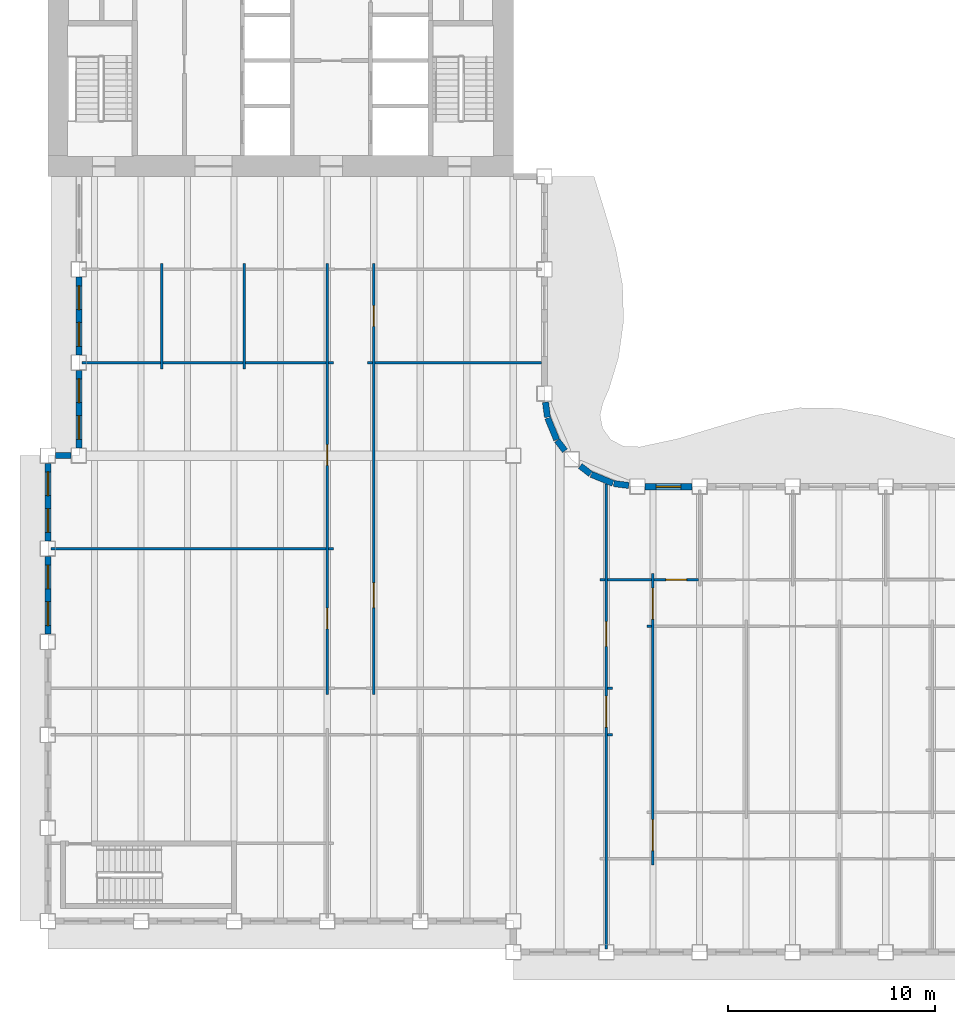
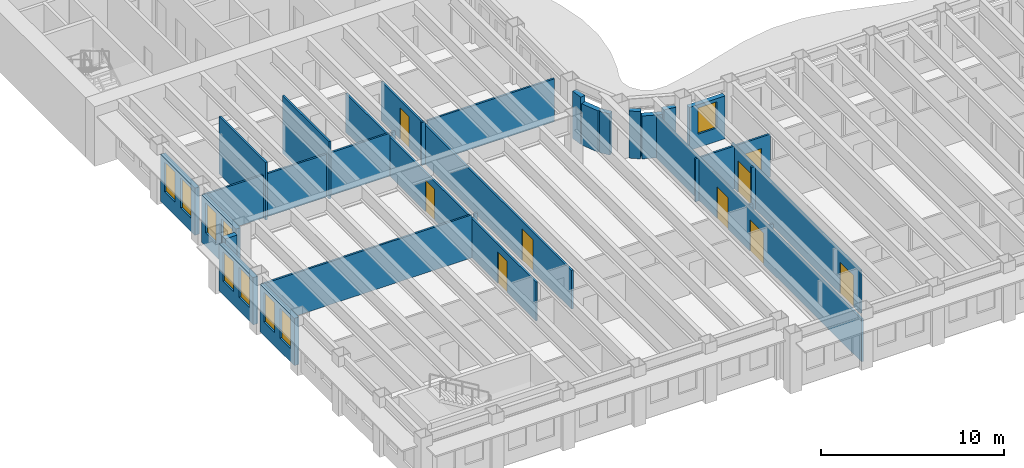
# One storey, part 4 of 16: 32 walls, 9 doors, 9 windows, 18 openings.
"""IFC4 building model written with IfcOpenShell, lengths in metres."""

from ifc_helpers import new_model, si_unit, direction, frame, frame_2d, origin, place, context, subcontext, project, spatial, rectangle, extrude, material, layer, layer_set, type_object, element, fill, save


model = new_model("IFC4")

# Units and contexts
model_context = context("Model", 3, precision=1e-05, world=origin(), true_north=direction((0.0, 1.0)))
body_context = subcontext(model_context, "Body", "Model", "MODEL_VIEW")
ifc_project = project(units=[si_unit("LENGTHUNIT", "METRE"), si_unit("AREAUNIT", "SQUARE_METRE"), si_unit("VOLUMEUNIT", "CUBIC_METRE"), si_unit("PLANEANGLEUNIT", "RADIAN"), si_unit("MASSUNIT", "GRAM", prefix="KILO")], contexts=[model_context])

# Site, building, storey
site_placement = place(None, origin())
site = spatial("IfcSite", under=ifc_project, at=site_placement, CompositionType="ELEMENT")
building_placement = place(site_placement, origin())
building = spatial("IfcBuilding", under=site, at=building_placement, Name="Sennacour Bend Tower", CompositionType="ELEMENT")
storey_placement = place(building_placement, frame((0.0, 0.0, 227.0)))
storey = spatial("IfcBuildingStorey", under=building, at=storey_placement, Name="L52", CompositionType="ELEMENT", Elevation=227.0)

# Walls
ifc_material_1 = material(Name="Plasterboard partition on steel studs", Category="steel")
ifc_layer_1 = layer(ifc_material_1, 0.1201171875, Name="Plasterboard partition on steel studs", Category="steel")
ifc_layer_set_1 = layer_set([ifc_layer_1], Name="Plasterboard partition on steel studs")
wall_type_1 = type_object("IfcWallType", Name="Partition 120", PredefinedType="PARTITIONING", material=ifc_layer_set_1)
for number, where, z_axis, x_axis, name in (
    (1, (5.5, 26.699951171875, 0.0), (0.0, 0.0, 1.0), (0.0, 1.0, 0.0), "P-L52-W007a"),
    (2, (9.5, 26.699951171875, 0.0), (0.0, 0.0, 1.0), (0.0, 1.0, 0.0), "P-L52-W012a"),
):
    element("IfcWall", number, at=place(storey_placement, frame(where, z_axis=z_axis, x_axis=x_axis)), inside=storey, type_object=wall_type_1, Name=name, PredefinedType="PARTITIONING", context=body_context, shape_type="SweptSolid", body=[
        extrude(rectangle(XDim=5.10009765625, YDim=0.1201171875, at=frame_2d((2.550048828125, 0.0))), origin(), (0.0, 0.0, 1.0), 3.85009765625),
    ])

# Wall, openings, doors
wall_1_placement = place(storey_placement, frame((13.5, 10.949951171875, 0.0), z_axis=(0.0, 0.0, 1.0), x_axis=(0.0, 1.0, 0.0)))
wall_1 = element("IfcWall", 3, at=wall_1_placement, inside=storey, type_object=wall_type_1, Name="P-L52-W016a", PredefinedType="PARTITIONING", context=body_context, shape_type="SweptSolid", body=[
    extrude(rectangle(XDim=20.85009765625, YDim=0.1201171875, at=frame_2d((10.425048828125, 0.0))), origin(), (0.0, 0.0, 1.0), 2.60009765625),
])
opening_1_placement = place(wall_1_placement, frame((3.175048828125, 0.0, 0.0)))
opening_1 = element("IfcOpeningElement", 4, at=opening_1_placement, cuts=wall_1, Name="Opening OD2", PredefinedType="OPENING", context=body_context, shape_type="SweptSolid", body=[
    extrude(rectangle(XDim=1.0, YDim=2.10009765625, at=frame_2d((0.5, 1.050048828125))), frame((0.0, 0.070068359375, 0.0), z_axis=(0.0, -1.0, 0.0), x_axis=(1.0, 0.0, 0.0)), (0.0, 0.0, 1.0), 0.14013671875),
])
opening_2_placement = place(wall_1_placement, frame((11.080078125, 0.0, 0.0)))
opening_2 = element("IfcOpeningElement", 5, at=opening_2_placement, cuts=wall_1, Name="Opening OD2", PredefinedType="OPENING", context=body_context, shape_type="SweptSolid", body=[
    extrude(rectangle(XDim=1.0, YDim=2.10009765625, at=frame_2d((0.5, 1.050048828125))), frame((0.0, 0.070068359375, 0.0), z_axis=(0.0, -1.0, 0.0), x_axis=(1.0, 0.0, 0.0)), (0.0, 0.0, 1.0), 0.14013671875),
])
ifc_material_2 = material(Name="Timber", Category="wood")
door_type_1 = type_object("IfcDoorType", Name="DR-OFFICE-1000", OperationType="NOTDEFINED", PredefinedType="DOOR", material=ifc_material_2)
door_1_placement = place(opening_1_placement, origin())
door_1 = element("IfcDoor", 6, at=door_1_placement, inside=storey, type_object=door_type_1, Name="Door", OperationType="SINGLE_SWING_LEFT", OverallHeight=2.10009765625, OverallWidth=1.0, PredefinedType="DOOR", context=body_context, shape_type="SweptSolid", body=[
    extrude(rectangle(XDim=1.0, YDim=2.10009765625, at=frame_2d((0.5, 1.050048828125))), frame((0.0, 0.02490234375, 0.0), z_axis=(0.0, -1.0, 0.0), x_axis=(1.0, 0.0, 0.0)), (0.0, 0.0, 1.0), 0.050048828125),
])
fill(opening_1, door_1)
door_2_placement = place(opening_2_placement, origin())
door_2 = element("IfcDoor", 7, at=door_2_placement, inside=storey, type_object=door_type_1, Name="Door", OperationType="SINGLE_SWING_RIGHT", OverallHeight=2.10009765625, OverallWidth=1.0, PredefinedType="DOOR", context=body_context, shape_type="SweptSolid", body=[
    extrude(rectangle(XDim=1.0, YDim=2.10009765625, at=frame_2d((0.5, 1.050048828125))), frame((0.0, 0.02490234375, 0.0), z_axis=(0.0, -1.0, 0.0), x_axis=(1.0, 0.0, 0.0)), (0.0, 0.0, 1.0), 0.050048828125),
])
fill(opening_2, door_2)

wall_2_placement = place(storey_placement, frame((15.75, 10.949951171875, 0.0), z_axis=(0.0, 0.0, 1.0), x_axis=(0.0, 1.0, 0.0)))
wall_2 = element("IfcWall", 8, at=wall_2_placement, inside=storey, type_object=wall_type_1, Name="P-L52-W019a", PredefinedType="PARTITIONING", context=body_context, shape_type="SweptSolid", body=[
    extrude(rectangle(XDim=20.85009765625, YDim=0.1201171875, at=frame_2d((10.425048828125, 0.0))), origin(), (0.0, 0.0, 1.0), 2.60009765625),
])
opening_3_placement = place(wall_2_placement, frame((17.800048828125, 0.0, 0.0)))
opening_3 = element("IfcOpeningElement", 9, at=opening_3_placement, cuts=wall_2, Name="Opening MD2", PredefinedType="OPENING", context=body_context, shape_type="SweptSolid", body=[
    extrude(rectangle(XDim=1.0, YDim=2.10009765625, at=frame_2d((0.5, 1.050048828125))), frame((0.0, 0.070068359375, 0.0), z_axis=(0.0, -1.0, 0.0), x_axis=(1.0, 0.0, 0.0)), (0.0, 0.0, 1.0), 0.14013671875),
])
opening_4_placement = place(wall_2_placement, frame((4.199951171875, 0.0, 0.0)))
opening_4 = element("IfcOpeningElement", 10, at=opening_4_placement, cuts=wall_2, Name="Opening OD", PredefinedType="OPENING", context=body_context, shape_type="SweptSolid", body=[
    extrude(rectangle(XDim=1.199951171875, YDim=2.10009765625, at=frame_2d((0.60009765625, 1.050048828125))), frame((0.0, 0.070068359375, 0.0), z_axis=(0.0, -1.0, 0.0), x_axis=(1.0, 0.0, 0.0)), (0.0, 0.0, 1.0), 0.14013671875),
])
door_type_2 = type_object("IfcDoorType", Name="DR-MEETING-1000", OperationType="NOTDEFINED", PredefinedType="DOOR", material=ifc_material_2)
door_3_placement = place(opening_3_placement, origin())
door_3 = element("IfcDoor", 11, at=door_3_placement, inside=storey, type_object=door_type_2, Name="Door", OperationType="SINGLE_SWING_RIGHT", OverallHeight=2.10009765625, OverallWidth=1.0, PredefinedType="DOOR", context=body_context, shape_type="SweptSolid", body=[
    extrude(rectangle(XDim=1.0, YDim=2.10009765625, at=frame_2d((0.5, 1.050048828125))), frame((0.0, 0.02490234375, 0.0), z_axis=(0.0, -1.0, 0.0), x_axis=(1.0, 0.0, 0.0)), (0.0, 0.0, 1.0), 0.050048828125),
])
fill(opening_3, door_3)
door_type_3 = type_object("IfcDoorType", Name="DR-OFFICE-1200", OperationType="NOTDEFINED", PredefinedType="DOOR", material=ifc_material_2)
door_4_placement = place(opening_4_placement, origin())
door_4 = element("IfcDoor", 12, at=door_4_placement, inside=storey, type_object=door_type_3, Name="Door", OperationType="SINGLE_SWING_LEFT", OverallHeight=2.10009765625, OverallWidth=1.199951171875, PredefinedType="DOOR", context=body_context, shape_type="SweptSolid", body=[
    extrude(rectangle(XDim=1.199951171875, YDim=2.10009765625, at=frame_2d((0.60009765625, 1.050048828125))), frame((0.0, 0.02490234375, 0.0), z_axis=(0.0, -1.0, 0.0), x_axis=(1.0, 0.0, 0.0)), (0.0, 0.0, 1.0), 0.050048828125),
])
fill(opening_4, door_4)

# Walls
for number, where, z_axis, x_axis, name in (
    (13, (27.06005859375, 9.0, 0.0), (0.0, 0.0, 1.0), (1.0, 0.0, 0.0), "P-L52-W062ad"),
    (14, (27.06005859375, 11.25, 0.0), (0.0, 0.0, 1.0), (1.0, 0.0, 0.0), "P-L52-W065ad"),
    (15, (28.949951171875, 14.25, 0.0), (0.0, 0.0, 1.0), (1.0, 0.0, 0.0), "P-L52-W069aa"),
    (16, (26.699951171875, 16.5, 0.0), (0.0, 0.0, 1.0), (1.0, 0.0, 0.0), "P-L52-W072aa"),
):
    element("IfcWall", number, at=place(storey_placement, frame(where, z_axis=z_axis, x_axis=x_axis)), inside=storey, type_object=wall_type_1, Name=name, PredefinedType="PARTITIONING", context=body_context, shape_type="SweptSolid", body=[
        extrude(rectangle(XDim=0.239990234375, YDim=0.1201171875, at=frame_2d((0.1201171875, 0.0))), origin(), (0.0, 0.0, 1.0), 2.8701171875),
    ])
wall_3_placement = place(storey_placement, frame((27.06005859375, 16.5, 0.0), z_axis=(0.0, 0.0, 1.0), x_axis=(1.0, 0.0, 0.0)))
element("IfcWall", 17, at=wall_3_placement, inside=storey, type_object=wall_type_1, Name="P-L52-W072ab", PredefinedType="PARTITIONING", context=body_context, shape_type="SweptSolid", body=[
    extrude(rectangle(XDim=2.1298828125, YDim=0.1201171875, at=frame_2d((1.06494140625, 0.0))), origin(), (0.0, 0.0, 1.0), 2.8701171875),
])

# Wall, opening, door
wall_4_placement = place(storey_placement, frame((29.31005859375, 16.5, 0.0), z_axis=(0.0, 0.0, 1.0), x_axis=(1.0, 0.0, 0.0)))
wall_4 = element("IfcWall", 18, at=wall_4_placement, inside=storey, type_object=wall_type_1, Name="P-L52-W072ac", PredefinedType="PARTITIONING", context=body_context, shape_type="SweptSolid", body=[
    extrude(rectangle(XDim=2.1298828125, YDim=0.1201171875, at=frame_2d((1.06494140625, 0.0))), origin(), (0.0, 0.0, 1.0), 2.8701171875),
])
opening_5_placement = place(wall_4_placement, frame((0.56494140625, 0.0, 0.0)))
opening_5 = element("IfcOpeningElement", 19, at=opening_5_placement, cuts=wall_4, Name="Opening OD2", PredefinedType="OPENING", context=body_context, shape_type="SweptSolid", body=[
    extrude(rectangle(XDim=1.0, YDim=2.10009765625, at=frame_2d((0.5, 1.050048828125))), frame((0.0, 0.070068359375, 0.0), z_axis=(0.0, -1.0, 0.0), x_axis=(1.0, 0.0, 0.0)), (0.0, 0.0, 1.0), 0.14013671875),
])
door_5_placement = place(opening_5_placement, origin())
door_5 = element("IfcDoor", 20, at=door_5_placement, inside=storey, type_object=door_type_1, Name="Door", OperationType="SINGLE_SWING_LEFT", OverallHeight=2.10009765625, OverallWidth=1.0, PredefinedType="DOOR", context=body_context, shape_type="SweptSolid", body=[
    extrude(rectangle(XDim=1.0, YDim=2.10009765625, at=frame_2d((0.5, 1.050048828125))), frame((0.0, 0.02490234375, 0.0), z_axis=(0.0, -1.0, 0.0), x_axis=(1.0, 0.0, 0.0)), (0.0, 0.0, 1.0), 0.050048828125),
])
fill(opening_5, door_5)

# Walls
wall_5_placement = place(storey_placement, frame((0.14990234375, 18.0, 0.0), z_axis=(0.0, 0.0, 1.0), x_axis=(1.0, 0.0, 0.0)))
element("IfcWall", 21, at=wall_5_placement, inside=storey, type_object=wall_type_1, Name="P-L52-W073aa", PredefinedType="PARTITIONING", context=body_context, shape_type="SweptSolid", body=[
    extrude(rectangle(XDim=13.2900390625, YDim=0.1201171875, at=frame_2d((6.64501953125, 0.0))), origin(), (0.0, 0.0, 1.0), 2.8701171875),
])
wall_6_placement = place(storey_placement, frame((13.56005859375, 18.0, 0.0), z_axis=(0.0, 0.0, 1.0), x_axis=(1.0, 0.0, 0.0)))
element("IfcWall", 22, at=wall_6_placement, inside=storey, type_object=wall_type_1, Name="P-L52-W073ab", PredefinedType="PARTITIONING", context=body_context, shape_type="SweptSolid", body=[
    extrude(rectangle(XDim=0.239990234375, YDim=0.1201171875, at=frame_2d((0.1201171875, 0.0))), origin(), (0.0, 0.0, 1.0), 2.8701171875),
])
wall_7_placement = place(storey_placement, frame((1.64990234375, 27.0, 0.0), z_axis=(0.0, 0.0, 1.0), x_axis=(1.0, 0.0, 0.0)))
element("IfcWall", 23, at=wall_7_placement, inside=storey, type_object=wall_type_1, Name="P-L52-W080aa", PredefinedType="PARTITIONING", context=body_context, shape_type="SweptSolid", body=[
    extrude(rectangle(XDim=3.7900390625, YDim=0.1201171875, at=frame_2d((1.89501953125, 0.0))), origin(), (0.0, 0.0, 1.0), 2.8701171875),
])
for number, where, z_axis, x_axis, name in (
    (24, (5.56005859375, 27.0, 0.0), (0.0, 0.0, 1.0), (1.0, 0.0, 0.0), "P-L52-W080ab"),
    (25, (9.56005859375, 27.0, 0.0), (0.0, 0.0, 1.0), (1.0, 0.0, 0.0), "P-L52-W080ac"),
):
    element("IfcWall", number, at=place(storey_placement, frame(where, z_axis=z_axis, x_axis=x_axis)), inside=storey, type_object=wall_type_1, Name=name, PredefinedType="PARTITIONING", context=body_context, shape_type="SweptSolid", body=[
        extrude(rectangle(XDim=3.8798828125, YDim=0.1201171875, at=frame_2d((1.93994140625, 0.0))), origin(), (0.0, 0.0, 1.0), 2.8701171875),
    ])
for number, where, z_axis, x_axis, name in (
    (26, (13.56005859375, 27.0, 0.0), (0.0, 0.0, 1.0), (1.0, 0.0, 0.0), "P-L52-W080ad"),
    (27, (15.449951171875, 27.0, 0.0), (0.0, 0.0, 1.0), (1.0, 0.0, 0.0), "P-L52-W081aa"),
):
    element("IfcWall", number, at=place(storey_placement, frame(where, z_axis=z_axis, x_axis=x_axis)), inside=storey, type_object=wall_type_1, Name=name, PredefinedType="PARTITIONING", context=body_context, shape_type="SweptSolid", body=[
        extrude(rectangle(XDim=0.239990234375, YDim=0.1201171875, at=frame_2d((0.1201171875, 0.0))), origin(), (0.0, 0.0, 1.0), 2.8701171875),
    ])
wall_8_placement = place(storey_placement, frame((15.81005859375, 27.0, 0.0), z_axis=(0.0, 0.0, 1.0), x_axis=(1.0, 0.0, 0.0)))
element("IfcWall", 28, at=wall_8_placement, inside=storey, type_object=wall_type_1, Name="P-L52-W081ab", PredefinedType="PARTITIONING", context=body_context, shape_type="SweptSolid", body=[
    extrude(rectangle(XDim=8.0400390625, YDim=0.1201171875, at=frame_2d((4.02001953125, 0.0))), origin(), (0.0, 0.0, 1.0), 2.8701171875),
])

# Wall, openings, doors
ifc_layer_2 = layer(ifc_material_1, 0.1201171875, Name="Plasterboard partition on steel studs", Category="steel")
ifc_layer_set_2 = layer_set([ifc_layer_2], Name="Plasterboard partition on steel studs")
wall_type_2 = type_object("IfcWallType", Name="Partition 120 EI 30", PredefinedType="PARTITIONING", material=ifc_layer_set_2)
wall_9_placement = place(storey_placement, frame((27.0, -1.35009765625, 0.0), z_axis=(0.0, 0.0, 1.0), x_axis=(0.0, 1.0, 0.0)))
wall_9 = element("IfcWall", 29, at=wall_9_placement, inside=storey, type_object=wall_type_2, Name="P-L52-W026a", PredefinedType="PARTITIONING", context=body_context, shape_type="SweptSolid", body=[
    extrude(rectangle(XDim=22.47998046875, YDim=0.1201171875, at=frame_2d((11.239990234375, 0.0))), origin(), (0.0, 0.0, 1.0), 2.8701171875),
])
opening_6_placement = place(wall_9_placement, frame((10.72509765625, 0.0, 0.0)))
opening_6 = element("IfcOpeningElement", 30, at=opening_6_placement, cuts=wall_9, Name="Opening KD", PredefinedType="OPENING", context=body_context, shape_type="SweptSolid", body=[
    extrude(rectangle(XDim=1.5, YDim=2.10009765625, at=frame_2d((0.75, 1.050048828125))), frame((0.0, 0.070068359375, 0.0), z_axis=(0.0, -1.0, 0.0), x_axis=(1.0, 0.0, 0.0)), (0.0, 0.0, 1.0), 0.14013671875),
])
opening_7_placement = place(wall_9_placement, frame((14.625, 0.0, 0.0)))
opening_7 = element("IfcOpeningElement", 31, at=opening_7_placement, cuts=wall_9, Name="Opening OD", PredefinedType="OPENING", context=body_context, shape_type="SweptSolid", body=[
    extrude(rectangle(XDim=1.199951171875, YDim=2.10009765625, at=frame_2d((0.60009765625, 1.050048828125))), frame((0.0, 0.070068359375, 0.0), z_axis=(0.0, -1.0, 0.0), x_axis=(1.0, 0.0, 0.0)), (0.0, 0.0, 1.0), 0.14013671875),
])
ifc_material_3 = material(Name="Painted steel", Category="steel")
door_type_4 = type_object("IfcDoorType", Name="DR-CORRIDOR-1500", OperationType="NOTDEFINED", PredefinedType="DOOR", material=ifc_material_3)
door_6_placement = place(opening_6_placement, origin())
door_6 = element("IfcDoor", 32, at=door_6_placement, inside=storey, type_object=door_type_4, Name="Door", OperationType="SINGLE_SWING_RIGHT", OverallHeight=2.10009765625, OverallWidth=1.5, PredefinedType="DOOR", context=body_context, shape_type="SweptSolid", body=[
    extrude(rectangle(XDim=1.5, YDim=2.10009765625, at=frame_2d((0.75, 1.050048828125))), frame((0.0, 0.02490234375, 0.0), z_axis=(0.0, -1.0, 0.0), x_axis=(1.0, 0.0, 0.0)), (0.0, 0.0, 1.0), 0.050048828125),
])
fill(opening_6, door_6)
door_7_placement = place(opening_7_placement, origin())
door_7 = element("IfcDoor", 33, at=door_7_placement, inside=storey, type_object=door_type_3, Name="Door", OperationType="SINGLE_SWING_RIGHT", OverallHeight=2.10009765625, OverallWidth=1.199951171875, PredefinedType="DOOR", context=body_context, shape_type="SweptSolid", body=[
    extrude(rectangle(XDim=1.199951171875, YDim=2.10009765625, at=frame_2d((0.60009765625, 1.050048828125))), frame((0.0, 0.02490234375, 0.0), z_axis=(0.0, -1.0, 0.0), x_axis=(1.0, 0.0, 0.0)), (0.0, 0.0, 1.0), 0.050048828125),
])
fill(opening_7, door_7)

wall_10_placement = place(storey_placement, frame((29.25, 2.699951171875, 0.0), z_axis=(0.0, 0.0, 1.0), x_axis=(0.0, 1.0, 0.0)))
wall_10 = element("IfcWall", 34, at=wall_10_placement, inside=storey, type_object=wall_type_2, Name="P-L52-W027a", PredefinedType="PARTITIONING", context=body_context, shape_type="SweptSolid", body=[
    extrude(rectangle(XDim=14.10009765625, YDim=0.1201171875, at=frame_2d((7.050048828125, 0.0))), origin(), (0.0, 0.0, 1.0), 2.8701171875),
])
opening_8_placement = place(wall_10_placement, frame((0.705078125, 0.0, 0.0)))
opening_8 = element("IfcOpeningElement", 35, at=opening_8_placement, cuts=wall_10, Name="Opening KD", PredefinedType="OPENING", context=body_context, shape_type="SweptSolid", body=[
    extrude(rectangle(XDim=1.5, YDim=2.10009765625, at=frame_2d((0.75, 1.050048828125))), frame((0.0, 0.070068359375, 0.0), z_axis=(0.0, -1.0, 0.0), x_axis=(1.0, 0.0, 0.0)), (0.0, 0.0, 1.0), 0.14013671875),
])
opening_9_placement = place(wall_10_placement, frame((11.89501953125, 0.0, 0.0)))
opening_9 = element("IfcOpeningElement", 36, at=opening_9_placement, cuts=wall_10, Name="Opening KD", PredefinedType="OPENING", context=body_context, shape_type="SweptSolid", body=[
    extrude(rectangle(XDim=1.5, YDim=2.10009765625, at=frame_2d((0.75, 1.050048828125))), frame((0.0, 0.070068359375, 0.0), z_axis=(0.0, -1.0, 0.0), x_axis=(1.0, 0.0, 0.0)), (0.0, 0.0, 1.0), 0.14013671875),
])
door_8_placement = place(opening_8_placement, origin())
door_8 = element("IfcDoor", 37, at=door_8_placement, inside=storey, type_object=door_type_4, Name="Door", OperationType="SINGLE_SWING_LEFT", OverallHeight=2.10009765625, OverallWidth=1.5, PredefinedType="DOOR", context=body_context, shape_type="SweptSolid", body=[
    extrude(rectangle(XDim=1.5, YDim=2.10009765625, at=frame_2d((0.75, 1.050048828125))), frame((0.0, 0.02490234375, 0.0), z_axis=(0.0, -1.0, 0.0), x_axis=(1.0, 0.0, 0.0)), (0.0, 0.0, 1.0), 0.050048828125),
])
fill(opening_8, door_8)
door_9_placement = place(opening_9_placement, origin())
door_9 = element("IfcDoor", 38, at=door_9_placement, inside=storey, type_object=door_type_4, Name="Door", OperationType="SINGLE_SWING_RIGHT", OverallHeight=2.10009765625, OverallWidth=1.5, PredefinedType="DOOR", context=body_context, shape_type="SweptSolid", body=[
    extrude(rectangle(XDim=1.5, YDim=2.10009765625, at=frame_2d((0.75, 1.050048828125))), frame((0.0, 0.02490234375, 0.0), z_axis=(0.0, -1.0, 0.0), x_axis=(1.0, 0.0, 0.0)), (0.0, 0.0, 1.0), 0.050048828125),
])
fill(opening_9, door_9)

# Wall, opening, window
ifc_material_4 = material(Name="Warm limestone cladding", Category="masonry")
ifc_layer_3 = layer(ifc_material_4, 0.050048828125, Name="Warm limestone cladding", Category="masonry")
ifc_material_5 = material(Name="Precast concrete C40/50", Category="concrete")
ifc_layer_4 = layer(ifc_material_5, 0.25, Name="Precast concrete C40/50", Category="concrete")
ifc_layer_set_3 = layer_set([ifc_layer_3, ifc_layer_4], Name="Precast concrete C40/50 with limestone cladding")
wall_type_3 = type_object("IfcWallType", Name="STONE-CLAD PRECAST SPANDREL 300", PredefinedType="STANDARD", material=ifc_layer_set_3)
wall_11_placement = place(storey_placement, frame((31.125, 21.0, 0.0), z_axis=(0.0, 0.0, 1.0), x_axis=(-1.0, 0.0, 0.0)))
wall_11 = element("IfcWall", 39, at=wall_11_placement, inside=storey, type_object=wall_type_3, Name="Stone spandrel and pier wall L52 06.05", PredefinedType="STANDARD", context=body_context, shape_type="SweptSolid", body=[
    extrude(rectangle(XDim=2.25, YDim=0.300048828125, at=frame_2d((1.125, 0.0))), origin(), (0.0, 0.0, 1.0), 2.8701171875),
])
opening_10_placement = place(wall_11_placement, frame((0.52490234375, 0.0, 0.89990234375)))
opening_10 = element("IfcOpeningElement", 40, at=opening_10_placement, cuts=wall_11, Name="Opening W16", PredefinedType="OPENING", context=body_context, shape_type="SweptSolid", body=[
    extrude(rectangle(XDim=1.199951171875, YDim=1.75, at=frame_2d((0.60009765625, 0.875))), frame((0.0, 0.16015625, 0.0), z_axis=(0.0, -1.0, 0.0), x_axis=(1.0, 0.0, 0.0)), (0.0, 0.0, 1.0), 0.320068359375),
])
ifc_material_6 = material(Name="Clear low-emissivity glass", Category="glass")
window_type_1 = type_object("IfcWindowType", Name="WIN-RIBBON-1200x1750", PartitioningType="SINGLE_PANEL", PredefinedType="WINDOW", material=ifc_material_6)
window_1_placement = place(opening_10_placement, origin())
window_1 = element("IfcWindow", 41, at=window_1_placement, inside=storey, type_object=window_type_1, Name="Ribbon window L52 06.05", OverallHeight=1.75, OverallWidth=1.199951171875, PartitioningType="SINGLE_PANEL", PredefinedType="WINDOW", context=body_context, shape_type="SweptSolid", body=[
    extrude(rectangle(XDim=1.199951171875, YDim=1.75, at=frame_2d((0.60009765625, 0.875))), frame((0.0, 0.030029296875, 0.0), z_axis=(0.0, -1.0, 0.0), x_axis=(1.0, 0.0, 0.0)), (0.0, 0.0, 1.0), 0.06005859375),
])
fill(opening_10, window_1)

# Walls
wall_12_placement = place(storey_placement, frame((28.0830078125, 21.054931640625, 0.0), z_axis=(0.0, 0.0, 1.0), x_axis=(-0.99142711513, 0.130660917588, 0.0)))
element("IfcWall", 42, at=wall_12_placement, inside=storey, type_object=wall_type_3, Name="Stone spandrel and pier wall L52 07.00", PredefinedType="STANDARD", context=body_context, shape_type="SweptSolid", body=[
    extrude(rectangle(XDim=0.734375, YDim=0.300048828125, at=frame_2d((0.3671875, 0.0))), origin(), (0.0, 0.0, 1.0), 3.156982421875),
])
wall_13_placement = place(storey_placement, frame((27.317138671875, 21.160888671875, 0.0), z_axis=(0.0, 0.0, 1.0), x_axis=(-0.923914616768, 0.382598720491, 0.0)))
element("IfcWall", 43, at=wall_13_placement, inside=storey, type_object=wall_type_3, Name="Stone spandrel and pier wall L52 08.00", PredefinedType="STANDARD", context=body_context, shape_type="SweptSolid", body=[
    extrude(rectangle(XDim=1.13525390625, YDim=0.300048828125, at=frame_2d((0.567626953125, 0.0))), origin(), (0.0, 0.0, 1.0), 2.8701171875),
])
wall_14_placement = place(storey_placement, frame((26.234375, 21.614990234375, 0.0), z_axis=(0.0, 0.0, 1.0), x_axis=(-0.793575131083, 0.608472276547, 0.0)))
element("IfcWall", 44, at=wall_14_placement, inside=storey, type_object=wall_type_3, Name="Stone spandrel and pier wall L52 09.00", PredefinedType="STANDARD", context=body_context, shape_type="SweptSolid", body=[
    extrude(rectangle(XDim=0.629150390625, YDim=0.300048828125, at=frame_2d((0.314453125, 0.0))), origin(), (0.0, 0.0, 1.0), 3.156982421875),
])
wall_15_placement = place(storey_placement, frame((24.997802734375, 22.735107421875, 0.0), z_axis=(0.0, 0.0, 1.0), x_axis=(-0.608472276547, 0.793575131083, 0.0)))
element("IfcWall", 45, at=wall_15_placement, inside=storey, type_object=wall_type_3, Name="Stone spandrel and pier wall L52 10.00", PredefinedType="STANDARD", context=body_context, shape_type="SweptSolid", body=[
    extrude(rectangle(XDim=0.629150390625, YDim=0.300048828125, at=frame_2d((0.314453125, 0.0))), origin(), (0.0, 0.0, 1.0), 2.760009765625),
])
wall_16_placement = place(storey_placement, frame((24.59521484375, 23.268310546875, 0.0), z_axis=(0.0, 0.0, 1.0), x_axis=(-0.382598720491, 0.923914616768, 0.0)))
element("IfcWall", 46, at=wall_16_placement, inside=storey, type_object=wall_type_3, Name="Stone spandrel and pier wall L52 11.00", PredefinedType="STANDARD", context=body_context, shape_type="SweptSolid", body=[
    extrude(rectangle(XDim=1.13525390625, YDim=0.300048828125, at=frame_2d((0.567626953125, 0.0))), origin(), (0.0, 0.0, 1.0), 2.760009765625),
])
wall_17_placement = place(storey_placement, frame((24.15087890625, 24.35498046875, 0.0), z_axis=(0.0, 0.0, 1.0), x_axis=(-0.130660917588, 0.99142711513, 0.0)))
element("IfcWall", 47, at=wall_17_placement, inside=storey, type_object=wall_type_3, Name="Stone spandrel and pier wall L52 12.00", PredefinedType="STANDARD", context=body_context, shape_type="SweptSolid", body=[
    extrude(rectangle(XDim=0.734375, YDim=0.300048828125, at=frame_2d((0.3671875, 0.0))), origin(), (0.0, 0.0, 1.0), 3.156982421875),
])

# Wall, openings, windows
wall_18_placement = place(storey_placement, frame((1.5, 31.125, 0.0), z_axis=(0.0, 0.0, 1.0), x_axis=(0.0, -1.0, 0.0)))
wall_18 = element("IfcWall", 48, at=wall_18_placement, inside=storey, type_object=wall_type_3, Name="Stone spandrel and pier wall L52 19.01", PredefinedType="STANDARD", context=body_context, shape_type="SweptSolid", body=[
    extrude(rectangle(XDim=3.75, YDim=0.300048828125, at=frame_2d((1.875, 0.0))), origin(), (0.0, 0.0, 1.0), 3.156982421875),
])
opening_11_placement = place(wall_18_placement, frame((0.41259765625, 0.0, 0.89990234375)))
opening_11 = element("IfcOpeningElement", 49, at=opening_11_placement, cuts=wall_18, Name="Opening W24", PredefinedType="OPENING", context=body_context, shape_type="SweptSolid", body=[
    extrude(rectangle(XDim=1.14990234375, YDim=2.0, at=frame_2d((0.574951171875, 1.0))), frame((0.0, 0.16015625, 0.0), z_axis=(0.0, -1.0, 0.0), x_axis=(1.0, 0.0, 0.0)), (0.0, 0.0, 1.0), 0.320068359375),
])
opening_12_placement = place(wall_18_placement, frame((2.1875, 0.0, 0.89990234375)))
opening_12 = element("IfcOpeningElement", 50, at=opening_12_placement, cuts=wall_18, Name="Opening W24", PredefinedType="OPENING", context=body_context, shape_type="SweptSolid", body=[
    extrude(rectangle(XDim=1.14990234375, YDim=2.0, at=frame_2d((0.574951171875, 1.0))), frame((0.0, 0.16015625, 0.0), z_axis=(0.0, -1.0, 0.0), x_axis=(1.0, 0.0, 0.0)), (0.0, 0.0, 1.0), 0.320068359375),
])
window_type_2 = type_object("IfcWindowType", Name="WIN-RIBBON-1150x2000", PartitioningType="SINGLE_PANEL", PredefinedType="WINDOW", material=ifc_material_6)
window_2_placement = place(opening_11_placement, origin())
window_2 = element("IfcWindow", 51, at=window_2_placement, inside=storey, type_object=window_type_2, Name="Ribbon window L52 19.01.0", OverallHeight=2.0, OverallWidth=1.14990234375, PartitioningType="SINGLE_PANEL", PredefinedType="WINDOW", context=body_context, shape_type="SweptSolid", body=[
    extrude(rectangle(XDim=1.14990234375, YDim=2.0, at=frame_2d((0.574951171875, 1.0))), frame((0.0, 0.030029296875, 0.0), z_axis=(0.0, -1.0, 0.0), x_axis=(1.0, 0.0, 0.0)), (0.0, 0.0, 1.0), 0.06005859375),
])
fill(opening_11, window_2)
window_3_placement = place(opening_12_placement, origin())
window_3 = element("IfcWindow", 52, at=window_3_placement, inside=storey, type_object=window_type_2, Name="Ribbon window L52 19.01.1", OverallHeight=2.0, OverallWidth=1.14990234375, PartitioningType="SINGLE_PANEL", PredefinedType="WINDOW", context=body_context, shape_type="SweptSolid", body=[
    extrude(rectangle(XDim=1.14990234375, YDim=2.0, at=frame_2d((0.574951171875, 1.0))), frame((0.0, 0.030029296875, 0.0), z_axis=(0.0, -1.0, 0.0), x_axis=(1.0, 0.0, 0.0)), (0.0, 0.0, 1.0), 0.06005859375),
])
fill(opening_12, window_3)

wall_19_placement = place(storey_placement, frame((1.5, 26.625, 0.0), z_axis=(0.0, 0.0, 1.0), x_axis=(0.0, -1.0, 0.0)))
wall_19 = element("IfcWall", 53, at=wall_19_placement, inside=storey, type_object=wall_type_3, Name="Stone spandrel and pier wall L52 19.02", PredefinedType="STANDARD", context=body_context, shape_type="SweptSolid", body=[
    extrude(rectangle(XDim=3.75, YDim=0.300048828125, at=frame_2d((1.875, 0.0))), origin(), (0.0, 0.0, 1.0), 3.156982421875),
])
opening_13_placement = place(wall_19_placement, frame((0.41259765625, 0.0, 0.89990234375)))
opening_13 = element("IfcOpeningElement", 54, at=opening_13_placement, cuts=wall_19, Name="Opening W24", PredefinedType="OPENING", context=body_context, shape_type="SweptSolid", body=[
    extrude(rectangle(XDim=1.14990234375, YDim=2.0, at=frame_2d((0.574951171875, 1.0))), frame((0.0, 0.16015625, 0.0), z_axis=(0.0, -1.0, 0.0), x_axis=(1.0, 0.0, 0.0)), (0.0, 0.0, 1.0), 0.320068359375),
])
opening_14_placement = place(wall_19_placement, frame((2.1875, 0.0, 0.89990234375)))
opening_14 = element("IfcOpeningElement", 55, at=opening_14_placement, cuts=wall_19, Name="Opening W24", PredefinedType="OPENING", context=body_context, shape_type="SweptSolid", body=[
    extrude(rectangle(XDim=1.14990234375, YDim=2.0, at=frame_2d((0.574951171875, 1.0))), frame((0.0, 0.16015625, 0.0), z_axis=(0.0, -1.0, 0.0), x_axis=(1.0, 0.0, 0.0)), (0.0, 0.0, 1.0), 0.320068359375),
])
window_4_placement = place(opening_13_placement, origin())
window_4 = element("IfcWindow", 56, at=window_4_placement, inside=storey, type_object=window_type_2, Name="Ribbon window L52 19.02.0", OverallHeight=2.0, OverallWidth=1.14990234375, PartitioningType="SINGLE_PANEL", PredefinedType="WINDOW", context=body_context, shape_type="SweptSolid", body=[
    extrude(rectangle(XDim=1.14990234375, YDim=2.0, at=frame_2d((0.574951171875, 1.0))), frame((0.0, 0.030029296875, 0.0), z_axis=(0.0, -1.0, 0.0), x_axis=(1.0, 0.0, 0.0)), (0.0, 0.0, 1.0), 0.06005859375),
])
fill(opening_13, window_4)
window_5_placement = place(opening_14_placement, origin())
window_5 = element("IfcWindow", 57, at=window_5_placement, inside=storey, type_object=window_type_2, Name="Ribbon window L52 19.02.1", OverallHeight=2.0, OverallWidth=1.14990234375, PartitioningType="SINGLE_PANEL", PredefinedType="WINDOW", context=body_context, shape_type="SweptSolid", body=[
    extrude(rectangle(XDim=1.14990234375, YDim=2.0, at=frame_2d((0.574951171875, 1.0))), frame((0.0, 0.030029296875, 0.0), z_axis=(0.0, -1.0, 0.0), x_axis=(1.0, 0.0, 0.0)), (0.0, 0.0, 1.0), 0.06005859375),
])
fill(opening_14, window_5)

# Wall
wall_20_placement = place(storey_placement, frame((1.125, 22.5, 0.0), z_axis=(0.0, 0.0, 1.0), x_axis=(-1.0, 0.0, 0.0)))
element("IfcWall", 58, at=wall_20_placement, inside=storey, type_object=wall_type_3, Name="Stone spandrel and pier wall L52 20.00", PredefinedType="STANDARD", context=body_context, shape_type="SweptSolid", body=[
    extrude(rectangle(XDim=0.75, YDim=0.300048828125, at=frame_2d((0.375, 0.0))), origin(), (0.0, 0.0, 1.0), 3.156982421875),
])

# Wall, openings, windows
wall_21_placement = place(storey_placement, frame((0.0, 22.125, 0.0), z_axis=(0.0, 0.0, 1.0), x_axis=(0.0, -1.0, 0.0)))
wall_21 = element("IfcWall", 59, at=wall_21_placement, inside=storey, type_object=wall_type_3, Name="Stone spandrel and pier wall L52 21.00", PredefinedType="STANDARD", context=body_context, shape_type="SweptSolid", body=[
    extrude(rectangle(XDim=3.75, YDim=0.300048828125, at=frame_2d((1.875, 0.0))), origin(), (0.0, 0.0, 1.0), 3.156982421875),
])
opening_15_placement = place(wall_21_placement, frame((0.41259765625, 0.0, 0.89990234375)))
opening_15 = element("IfcOpeningElement", 60, at=opening_15_placement, cuts=wall_21, Name="Opening W24", PredefinedType="OPENING", context=body_context, shape_type="SweptSolid", body=[
    extrude(rectangle(XDim=1.14990234375, YDim=2.0, at=frame_2d((0.574951171875, 1.0))), frame((0.0, 0.16015625, 0.0), z_axis=(0.0, -1.0, 0.0), x_axis=(1.0, 0.0, 0.0)), (0.0, 0.0, 1.0), 0.320068359375),
])
opening_16_placement = place(wall_21_placement, frame((2.1875, 0.0, 0.89990234375)))
opening_16 = element("IfcOpeningElement", 61, at=opening_16_placement, cuts=wall_21, Name="Opening W24", PredefinedType="OPENING", context=body_context, shape_type="SweptSolid", body=[
    extrude(rectangle(XDim=1.14990234375, YDim=2.0, at=frame_2d((0.574951171875, 1.0))), frame((0.0, 0.16015625, 0.0), z_axis=(0.0, -1.0, 0.0), x_axis=(1.0, 0.0, 0.0)), (0.0, 0.0, 1.0), 0.320068359375),
])
window_6_placement = place(opening_15_placement, origin())
window_6 = element("IfcWindow", 62, at=window_6_placement, inside=storey, type_object=window_type_2, Name="Ribbon window L52 21.00.0", OverallHeight=2.0, OverallWidth=1.14990234375, PartitioningType="SINGLE_PANEL", PredefinedType="WINDOW", context=body_context, shape_type="SweptSolid", body=[
    extrude(rectangle(XDim=1.14990234375, YDim=2.0, at=frame_2d((0.574951171875, 1.0))), frame((0.0, 0.030029296875, 0.0), z_axis=(0.0, -1.0, 0.0), x_axis=(1.0, 0.0, 0.0)), (0.0, 0.0, 1.0), 0.06005859375),
])
fill(opening_15, window_6)
window_7_placement = place(opening_16_placement, origin())
window_7 = element("IfcWindow", 63, at=window_7_placement, inside=storey, type_object=window_type_2, Name="Ribbon window L52 21.00.1", OverallHeight=2.0, OverallWidth=1.14990234375, PartitioningType="SINGLE_PANEL", PredefinedType="WINDOW", context=body_context, shape_type="SweptSolid", body=[
    extrude(rectangle(XDim=1.14990234375, YDim=2.0, at=frame_2d((0.574951171875, 1.0))), frame((0.0, 0.030029296875, 0.0), z_axis=(0.0, -1.0, 0.0), x_axis=(1.0, 0.0, 0.0)), (0.0, 0.0, 1.0), 0.06005859375),
])
fill(opening_16, window_7)

wall_22_placement = place(storey_placement, frame((0.0, 17.625, 0.0), z_axis=(0.0, 0.0, 1.0), x_axis=(0.0, -1.0, 0.0)))
wall_22 = element("IfcWall", 64, at=wall_22_placement, inside=storey, type_object=wall_type_3, Name="Stone spandrel and pier wall L52 21.01", PredefinedType="STANDARD", context=body_context, shape_type="SweptSolid", body=[
    extrude(rectangle(XDim=3.75, YDim=0.300048828125, at=frame_2d((1.875, 0.0))), origin(), (0.0, 0.0, 1.0), 3.156982421875),
])
opening_17_placement = place(wall_22_placement, frame((0.41259765625, 0.0, 0.89990234375)))
opening_17 = element("IfcOpeningElement", 65, at=opening_17_placement, cuts=wall_22, Name="Opening W24", PredefinedType="OPENING", context=body_context, shape_type="SweptSolid", body=[
    extrude(rectangle(XDim=1.14990234375, YDim=2.0, at=frame_2d((0.574951171875, 1.0))), frame((0.0, 0.16015625, 0.0), z_axis=(0.0, -1.0, 0.0), x_axis=(1.0, 0.0, 0.0)), (0.0, 0.0, 1.0), 0.320068359375),
])
opening_18_placement = place(wall_22_placement, frame((2.1875, 0.0, 0.89990234375)))
opening_18 = element("IfcOpeningElement", 66, at=opening_18_placement, cuts=wall_22, Name="Opening W24", PredefinedType="OPENING", context=body_context, shape_type="SweptSolid", body=[
    extrude(rectangle(XDim=1.14990234375, YDim=2.0, at=frame_2d((0.574951171875, 1.0))), frame((0.0, 0.16015625, 0.0), z_axis=(0.0, -1.0, 0.0), x_axis=(1.0, 0.0, 0.0)), (0.0, 0.0, 1.0), 0.320068359375),
])
window_8_placement = place(opening_17_placement, origin())
window_8 = element("IfcWindow", 67, at=window_8_placement, inside=storey, type_object=window_type_2, Name="Ribbon window L52 21.01.0", OverallHeight=2.0, OverallWidth=1.14990234375, PartitioningType="SINGLE_PANEL", PredefinedType="WINDOW", context=body_context, shape_type="SweptSolid", body=[
    extrude(rectangle(XDim=1.14990234375, YDim=2.0, at=frame_2d((0.574951171875, 1.0))), frame((0.0, 0.030029296875, 0.0), z_axis=(0.0, -1.0, 0.0), x_axis=(1.0, 0.0, 0.0)), (0.0, 0.0, 1.0), 0.06005859375),
])
fill(opening_17, window_8)
window_9_placement = place(opening_18_placement, origin())
window_9 = element("IfcWindow", 68, at=window_9_placement, inside=storey, type_object=window_type_2, Name="Ribbon window L52 21.01.1", OverallHeight=2.0, OverallWidth=1.14990234375, PartitioningType="SINGLE_PANEL", PredefinedType="WINDOW", context=body_context, shape_type="SweptSolid", body=[
    extrude(rectangle(XDim=1.14990234375, YDim=2.0, at=frame_2d((0.574951171875, 1.0))), frame((0.0, 0.030029296875, 0.0), z_axis=(0.0, -1.0, 0.0), x_axis=(1.0, 0.0, 0.0)), (0.0, 0.0, 1.0), 0.06005859375),
])
fill(opening_18, window_9)

save(model, "model.ifc")
